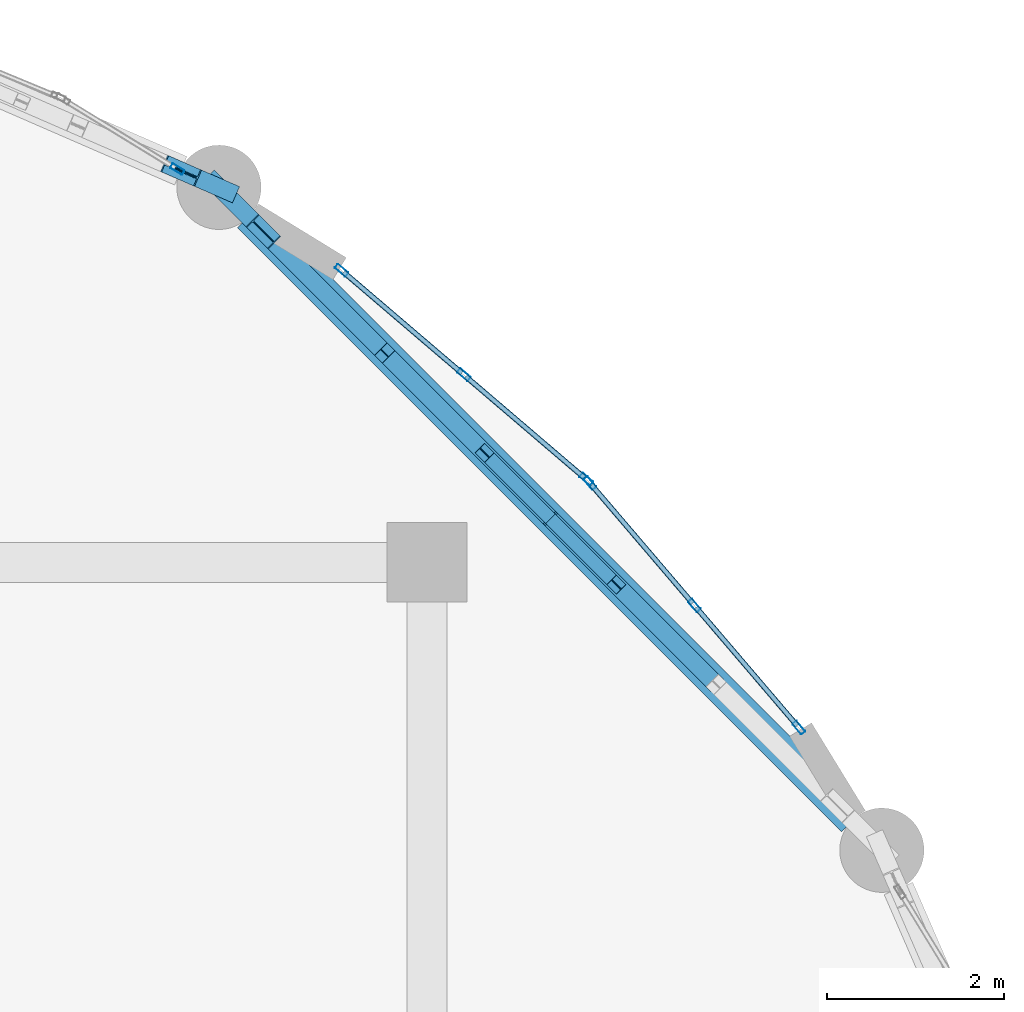
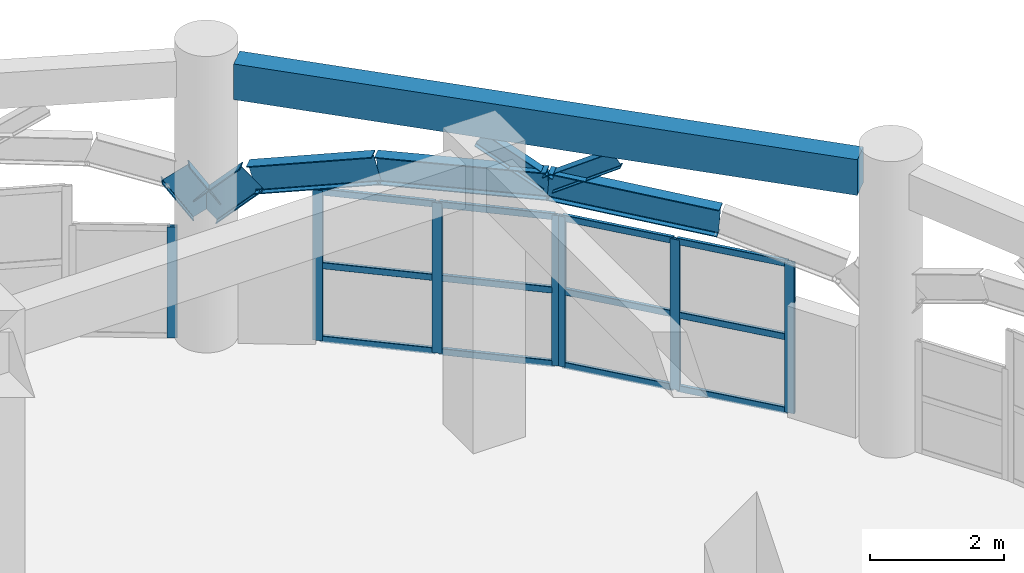
# One storey, part 76 of 114: 21 members, 6 beams, 3 elements without a shape of their own.
"""IFC4 building model written with IfcOpenShell, lengths in metres."""

from ifc_helpers import new_model, si_unit, derived_unit, direction, frame, origin, origin_2d, place, context, subcontext, project, spatial, rectangle, hollow_rectangle, i_section, extrude, material, layer, layer_set, material_profile, profile_set, type_object, element, aggregate, save


model = new_model("IFC4")

# Units and contexts
model_context = context("Model", 3, precision=1e-05, world=origin(), true_north=direction((0.0, 1.0)))
body_context = subcontext(model_context, "Body", "Model", "MODEL_VIEW")
ifc_project = project(units=[si_unit("LENGTHUNIT", "METRE"), si_unit("AREAUNIT", "SQUARE_METRE"), si_unit("VOLUMEUNIT", "CUBIC_METRE"), si_unit("PLANEANGLEUNIT", "RADIAN"), si_unit("MASSUNIT", "GRAM", prefix="KILO"), derived_unit("THERMALTRANSMITTANCEUNIT", [(si_unit("MASSUNIT", "GRAM", prefix="KILO"), 1), (si_unit("TIMEUNIT", "SECOND"), -3), (si_unit("THERMODYNAMICTEMPERATUREUNIT", "KELVIN"), -1)])], contexts=[model_context])

# Site, building, storey
site_placement = place(None, origin())
site = spatial("IfcSite", under=ifc_project, at=site_placement, CompositionType="ELEMENT")
building_placement = place(site_placement, origin())
building = spatial("IfcBuilding", under=site, at=building_placement, Name="Qinzheling Arcade Emporium", CompositionType="ELEMENT")
storey_placement = place(building_placement, frame((0.0, 0.0, 6.0)))
storey = spatial("IfcBuildingStorey", under=building, at=storey_placement, Name="L02", CompositionType="ELEMENT", Elevation=6.0)

# Beams
ifc_material_1 = material(Name="Weathering steel Q355NH", Category="steel")
ifc_material_profile_1 = material_profile(ifc_material_1, i_section(OverallWidth=0.199951171875, OverallDepth=0.5, WebThickness=0.010009765625, FlangeThickness=0.01611328125, FilletRadius=0.01806640625, at=origin_2d()), Name="HN 500x200x10x16", Category="steel")
ifc_profile_set_1 = profile_set([ifc_material_profile_1], Name="Weathering steel Q355NH")
beam_type_1 = type_object("IfcBeamType", Name="Arcade End Arch Rib HN500 Q355NH", PredefinedType="BEAM", material=ifc_profile_set_1)
beam_1_placement = place(storey_placement, frame((142.4599609375, 105.422119140625, 3.52392578125), z_axis=(-0.705264489897, 0.705264489897, 0.072138745342), x_axis=(-0.707106781187, -0.707106781187, 0.0)))
element("IfcBeam", 1, at=beam_1_placement, inside=storey, type_object=beam_type_1, Name="Curved Arcade Entrance Arch ARC-L02-CV6-B03-C03", PredefinedType="BEAM", context=body_context, shape_type="SweptSolid", body=[
    extrude(i_section(OverallWidth=0.199951171875, OverallDepth=0.5, WebThickness=0.010009765625, FlangeThickness=0.01611328125, FilletRadius=0.01806640625, at=origin_2d()), origin(), (0.0, 0.0, 1.0), 2.64990234375),
])
beam_2_placement = place(storey_placement, frame((140.591064453125, 107.291015625, 3.715087890625), z_axis=(-0.70531079072, 0.705218665486, -0.072134058142), x_axis=(-0.707060596752, -0.707152962604, 0.0)))
element("IfcBeam", 2, at=beam_2_placement, inside=storey, type_object=beam_type_1, Name="Curved Arcade Entrance Arch ARC-L02-CV6-B03-C04", PredefinedType="BEAM", context=body_context, shape_type="SweptSolid", body=[
    extrude(i_section(OverallWidth=0.199951171875, OverallDepth=0.5, WebThickness=0.010009765625, FlangeThickness=0.01611328125, FilletRadius=0.01806640625, at=origin_2d()), origin(), (0.0, 0.0, 1.0), 2.650146484375),
])
beam_3_placement = place(storey_placement, frame((138.721923828125, 109.159912109375, 3.52392578125), z_axis=(-0.682635799585, 0.682757633567, -0.26048105292), x_axis=(-0.707169873471, -0.707043683272, 0.0)))
element("IfcBeam", 3, at=beam_3_placement, inside=storey, type_object=beam_type_1, Name="Curved Arcade Entrance Arch ARC-L02-CV6-B03-C05", PredefinedType="BEAM", context=body_context, shape_type="SweptSolid", body=[
    extrude(i_section(OverallWidth=0.199951171875, OverallDepth=0.5, WebThickness=0.010009765625, FlangeThickness=0.01611328125, FilletRadius=0.01806640625, at=origin_2d()), origin(), (0.0, 0.0, 1.0), 2.00390625),
])
beam_4_placement = place(storey_placement, frame((137.35400390625, 110.528076171875, 3.001953125), z_axis=(-0.498792477106, 0.498792477106, -0.708810362203), x_axis=(-0.707106781187, -0.707106781187, 0.0)))
element("IfcBeam", 4, at=beam_4_placement, inside=storey, type_object=beam_type_1, Name="Curved Arcade Entrance Arch ARC-L02-CV6-B03-C06", PredefinedType="BEAM", context=body_context, shape_type="SweptSolid", body=[
    extrude(i_section(OverallWidth=0.199951171875, OverallDepth=0.5, WebThickness=0.010009765625, FlangeThickness=0.01611328125, FilletRadius=0.01806640625, at=origin_2d()), origin(), (0.0, 0.0, 1.0), 1.00439453125),
])
beam_5_placement = place(storey_placement, frame((136.85302734375, 111.029052734375, 2.2900390625), z_axis=(-0.501917292807, 0.218674086403, 0.836815795212), x_axis=(-0.399416000282, -0.916769795924, 0.0)))
element("IfcBeam", 5, at=beam_5_placement, inside=storey, type_object=beam_type_1, Name="Curved Arcade Entrance Arch ARC-L02-CV6-B04-C01", PredefinedType="BEAM", context=body_context, shape_type="SweptSolid", body=[
    extrude(i_section(OverallWidth=0.199951171875, OverallDepth=0.5, WebThickness=0.010009765625, FlangeThickness=0.01611328125, FilletRadius=0.01806640625, at=origin_2d()), origin(), (0.0, 0.0, 1.0), 0.850830078125),
])

# Members
ifc_material_profile_2 = material_profile(ifc_material_1, i_section(OverallWidth=0.14990234375, OverallDepth=0.300048828125, WebThickness=0.006591796875, FlangeThickness=0.009033203125, FilletRadius=0.012939453125, at=origin_2d()), Name="HN 300x150x6.5x9", Category="steel")
ifc_profile_set_2 = profile_set([ifc_material_profile_2], Name="Weathering steel Q355NH")
member_type_1 = type_object("IfcMemberType", Name="Arcade Spandrel Web Chord HN300 Q355NH", PredefinedType="CHORD", material=ifc_profile_set_2)
for number, where, z_axis, x_axis, name in (
    (6, (140.591064453125, 107.291015625, 3.72509765625), (0.603700509, -0.603700509, 0.520664374494), (0.707106781187, 0.707106781187, 0.0), "Arcade Spandrel Web Chord ASW-L02-CV6-B03-W1"),
    (7, (140.591064453125, 107.291015625, 3.72509765625), (-0.603700509, 0.603700509, 0.520664374494), (-0.707106781187, -0.707106781187, 0.0), "Arcade Spandrel Web Chord ASW-L02-CV6-B03-W2"),
):
    element("IfcMember", number, at=place(storey_placement, frame(where, z_axis=z_axis, x_axis=x_axis)), inside=storey, type_object=member_type_1, Name=name, PredefinedType="CHORD", context=body_context, shape_type="SweptSolid", body=[
        extrude(i_section(OverallWidth=0.14990234375, OverallDepth=0.300048828125, WebThickness=0.006591796875, FlangeThickness=0.009033203125, FilletRadius=0.012939453125, at=origin_2d()), origin(), (0.0, 0.0, 1.0), 1.22900390625),
    ])

# Curtain wall, member
ifc_material_2 = material(Name="Anodised aluminium and solar-control double glazing", Category="aluminium")
ifc_layer = layer(ifc_material_2, 0.159912109375, Name="Anodised aluminium and solar-control double glazing", Category="aluminium")
ifc_layer_set = layer_set([ifc_layer], Name="Anodised aluminium and solar-control double glazing")
curtain_wall_type = type_object("IfcCurtainWallType", Name="Curved Ribbon Sales Curtain Wall", PredefinedType="NOTDEFINED", material=ifc_layer_set)
curtain_wall_1_placement = place(storey_placement, origin())
curtain_wall_1 = element("IfcCurtainWall", 8, at=curtain_wall_1_placement, inside=storey, type_object=curtain_wall_type, Name="Curtain Wall CW-L02-106", PredefinedType="NOTDEFINED")
ifc_material_3 = material(Name="Anodised aluminium 6063-T6", Category="aluminium")
ifc_material_profile_3 = material_profile(ifc_material_3, hollow_rectangle(XDim=0.06005859375, YDim=0.159912109375, WallThickness=0.00390625, InnerFilletRadius=0.00390625, OuterFilletRadius=0.008056640625, at=origin_2d()), Name="RHS 160x60x4", Category="aluminium")
ifc_profile_set_3 = profile_set([ifc_material_profile_3], Name="Anodised aluminium 6063-T6")
member_type_2 = type_object("IfcMemberType", Name="Curtain Wall Mullion RHS160x60", PredefinedType="MULLION", material=ifc_profile_set_3)
member_1_placement = place(storey_placement, frame((136.38330078125, 111.233642578125, 0.0), z_axis=(0.0, 0.0, 1.0), x_axis=(0.522427757689, 0.852683550912, 0.0)))
member_1 = element("IfcMember", 9, at=member_1_placement, type_object=member_type_2, Name="CW02 mullion 2", PredefinedType="MULLION", context=body_context, shape_type="SweptSolid", body=[
    extrude(hollow_rectangle(XDim=0.06005859375, YDim=0.159912109375, WallThickness=0.00390625, InnerFilletRadius=0.00390625, OuterFilletRadius=0.008056640625, at=origin_2d()), origin(), (0.0, 0.0, 1.0), 2.02490234375),
])
aggregate(curtain_wall_1, [member_1])

# Curtain wall, members
curtain_wall_2_placement = place(storey_placement, origin())
curtain_wall_2 = element("IfcCurtainWall", 10, at=curtain_wall_2_placement, inside=storey, type_object=curtain_wall_type, Name="Curtain Wall CW-L02-107", PredefinedType="NOTDEFINED")
member_2_placement = place(storey_placement, frame((138.23583984375, 110.092529296875, 0.0), z_axis=(0.0, 0.0, 1.0), x_axis=(0.649472784461, 0.760384838253, 0.0)))
member_2 = element("IfcMember", 11, at=member_2_placement, type_object=member_type_2, Name="CW02 mullion 1", PredefinedType="MULLION", context=body_context, shape_type="SweptSolid", body=[
    extrude(hollow_rectangle(XDim=0.06005859375, YDim=0.159912109375, WallThickness=0.00390625, InnerFilletRadius=0.00390625, OuterFilletRadius=0.008056640625, at=origin_2d()), origin(), (0.0, 0.0, 1.0), 2.737060546875),
])
member_3_placement = place(storey_placement, frame((139.614990234375, 108.91455078125, 0.0), z_axis=(0.0, 0.0, 1.0), x_axis=(0.649472784461, 0.760384838253, 0.0)))
member_3 = element("IfcMember", 12, at=member_3_placement, type_object=member_type_2, Name="CW02 mullion 2", PredefinedType="MULLION", context=body_context, shape_type="SweptSolid", body=[
    extrude(hollow_rectangle(XDim=0.06005859375, YDim=0.159912109375, WallThickness=0.00390625, InnerFilletRadius=0.00390625, OuterFilletRadius=0.008056640625, at=origin_2d()), origin(), (0.0, 0.0, 1.0), 2.737060546875),
])
member_4_placement = place(storey_placement, frame((140.994140625, 107.736572265625, 0.0), z_axis=(0.0, 0.0, 1.0), x_axis=(0.649472784461, 0.760384838253, 0.0)))
member_4 = element("IfcMember", 13, at=member_4_placement, type_object=member_type_2, Name="CW02 mullion 3", PredefinedType="MULLION", context=body_context, shape_type="SweptSolid", body=[
    extrude(hollow_rectangle(XDim=0.06005859375, YDim=0.159912109375, WallThickness=0.00390625, InnerFilletRadius=0.00390625, OuterFilletRadius=0.008056640625, at=origin_2d()), origin(), (0.0, 0.0, 1.0), 2.737060546875),
])

curtain_wall_3_placement = place(storey_placement, origin())
curtain_wall_3 = element("IfcCurtainWall", 14, at=curtain_wall_3_placement, inside=storey, type_object=curtain_wall_type, Name="Curtain Wall CW-L02-108", PredefinedType="NOTDEFINED")
member_5_placement = place(storey_placement, frame((141.036376953125, 107.694091796875, 0.0), z_axis=(0.0, 0.0, 1.0), x_axis=(0.760384838253, 0.649472784461, 0.0)))
member_5 = element("IfcMember", 15, at=member_5_placement, type_object=member_type_2, Name="CW02 mullion 1", PredefinedType="MULLION", context=body_context, shape_type="SweptSolid", body=[
    extrude(hollow_rectangle(XDim=0.06005859375, YDim=0.159912109375, WallThickness=0.00390625, InnerFilletRadius=0.00390625, OuterFilletRadius=0.008056640625, at=origin_2d()), origin(), (0.0, 0.0, 1.0), 2.737060546875),
])
member_6_placement = place(storey_placement, frame((142.214599609375, 106.31494140625, 0.0), z_axis=(0.0, 0.0, 1.0), x_axis=(0.760384838253, 0.649472784461, 0.0)))
member_6 = element("IfcMember", 16, at=member_6_placement, type_object=member_type_2, Name="CW02 mullion 2", PredefinedType="MULLION", context=body_context, shape_type="SweptSolid", body=[
    extrude(hollow_rectangle(XDim=0.06005859375, YDim=0.159912109375, WallThickness=0.00390625, InnerFilletRadius=0.00390625, OuterFilletRadius=0.008056640625, at=origin_2d()), origin(), (0.0, 0.0, 1.0), 2.737060546875),
])
member_7_placement = place(storey_placement, frame((143.392578125, 104.935791015625, 0.0), z_axis=(0.0, 0.0, 1.0), x_axis=(0.760384838253, 0.649472784461, 0.0)))
member_7 = element("IfcMember", 17, at=member_7_placement, type_object=member_type_2, Name="CW02 mullion 3", PredefinedType="MULLION", context=body_context, shape_type="SweptSolid", body=[
    extrude(hollow_rectangle(XDim=0.06005859375, YDim=0.159912109375, WallThickness=0.00390625, InnerFilletRadius=0.00390625, OuterFilletRadius=0.008056640625, at=origin_2d()), origin(), (0.0, 0.0, 1.0), 2.737060546875),
])

# Member
ifc_material_profile_4 = material_profile(ifc_material_3, hollow_rectangle(XDim=0.06005859375, YDim=0.1201171875, WallThickness=0.00390625, InnerFilletRadius=0.00390625, OuterFilletRadius=0.008056640625, at=origin_2d()), Name="RHS 120x60x4", Category="aluminium")
ifc_profile_set_4 = profile_set([ifc_material_profile_4], Name="Anodised aluminium 6063-T6")
member_type_3 = type_object("IfcMemberType", Name="Curtain Wall Transom RHS120x60", PredefinedType="USERDEFINED", material=ifc_profile_set_4)
member_8_placement = place(storey_placement, frame((138.258544921875, 110.072998046875, 0.030029296875), z_axis=(0.760463899303, -0.649380210552, 0.0), x_axis=(0.649380210552, 0.760463899303, 0.0)))
member_8 = element("IfcMember", 18, at=member_8_placement, type_object=member_type_3, Name="CW02 transom 1.1", ObjectType="TRANSOM", PredefinedType="USERDEFINED", context=body_context, shape_type="SweptSolid", body=[
    extrude(hollow_rectangle(XDim=0.06005859375, YDim=0.1201171875, WallThickness=0.00390625, InnerFilletRadius=0.00390625, OuterFilletRadius=0.008056640625, at=origin_2d()), origin(), (0.0, 0.0, 1.0), 1.75390625),
])

member_9_placement = place(storey_placement, frame((138.258544921875, 110.072998046875, 1.368896484375), z_axis=(0.760463899303, -0.649380210552, 0.0), x_axis=(0.649380210552, 0.760463899303, 0.0)))
member_9 = element("IfcMember", 19, at=member_9_placement, type_object=member_type_3, Name="CW02 transom 1.2", ObjectType="TRANSOM", PredefinedType="USERDEFINED", context=body_context, shape_type="SweptSolid", body=[
    extrude(hollow_rectangle(XDim=0.06005859375, YDim=0.1201171875, WallThickness=0.00390625, InnerFilletRadius=0.00390625, OuterFilletRadius=0.008056640625, at=origin_2d()), origin(), (0.0, 0.0, 1.0), 1.75390625),
])

member_10_placement = place(storey_placement, frame((138.258544921875, 110.072998046875, 2.70703125), z_axis=(0.760463899303, -0.649380210552, 0.0), x_axis=(0.649380210552, 0.760463899303, 0.0)))
member_10 = element("IfcMember", 20, at=member_10_placement, type_object=member_type_3, Name="CW02 transom 1.3", ObjectType="TRANSOM", PredefinedType="USERDEFINED", context=body_context, shape_type="SweptSolid", body=[
    extrude(hollow_rectangle(XDim=0.06005859375, YDim=0.1201171875, WallThickness=0.00390625, InnerFilletRadius=0.00390625, OuterFilletRadius=0.008056640625, at=origin_2d()), origin(), (0.0, 0.0, 1.0), 1.75390625),
])

member_11_placement = place(storey_placement, frame((139.6376953125, 108.89501953125, 0.030029296875), z_axis=(0.760395158799, -0.649460701255, 0.0), x_axis=(0.649460701255, 0.760395158799, 0.0)))
member_11 = element("IfcMember", 21, at=member_11_placement, type_object=member_type_3, Name="CW02 transom 2.1", ObjectType="TRANSOM", PredefinedType="USERDEFINED", context=body_context, shape_type="SweptSolid", body=[
    extrude(hollow_rectangle(XDim=0.06005859375, YDim=0.1201171875, WallThickness=0.00390625, InnerFilletRadius=0.00390625, OuterFilletRadius=0.008056640625, at=origin_2d()), origin(), (0.0, 0.0, 1.0), 1.75390625),
])

member_12_placement = place(storey_placement, frame((139.6376953125, 108.89501953125, 1.368896484375), z_axis=(0.760395158799, -0.649460701255, 0.0), x_axis=(0.649460701255, 0.760395158799, 0.0)))
member_12 = element("IfcMember", 22, at=member_12_placement, type_object=member_type_3, Name="CW02 transom 2.2", ObjectType="TRANSOM", PredefinedType="USERDEFINED", context=body_context, shape_type="SweptSolid", body=[
    extrude(hollow_rectangle(XDim=0.06005859375, YDim=0.1201171875, WallThickness=0.00390625, InnerFilletRadius=0.00390625, OuterFilletRadius=0.008056640625, at=origin_2d()), origin(), (0.0, 0.0, 1.0), 1.75390625),
])

member_13_placement = place(storey_placement, frame((139.6376953125, 108.89501953125, 2.70703125), z_axis=(0.760395158799, -0.649460701255, 0.0), x_axis=(0.649460701255, 0.760395158799, 0.0)))
member_13 = element("IfcMember", 23, at=member_13_placement, type_object=member_type_3, Name="CW02 transom 2.3", ObjectType="TRANSOM", PredefinedType="USERDEFINED", context=body_context, shape_type="SweptSolid", body=[
    extrude(hollow_rectangle(XDim=0.06005859375, YDim=0.1201171875, WallThickness=0.00390625, InnerFilletRadius=0.00390625, OuterFilletRadius=0.008056640625, at=origin_2d()), origin(), (0.0, 0.0, 1.0), 1.75390625),
])

aggregate(curtain_wall_2, [member_2, member_3, member_4, member_8, member_9, member_10, member_11, member_12, member_13])

member_14_placement = place(storey_placement, frame((141.055908203125, 107.67138671875, 0.030029296875), z_axis=(0.649529444426, -0.760336439232, 0.0), x_axis=(0.760336439232, 0.649529444426, 0.0)))
member_14 = element("IfcMember", 24, at=member_14_placement, type_object=member_type_3, Name="CW02 transom 1.1", ObjectType="TRANSOM", PredefinedType="USERDEFINED", context=body_context, shape_type="SweptSolid", body=[
    extrude(hollow_rectangle(XDim=0.06005859375, YDim=0.1201171875, WallThickness=0.00390625, InnerFilletRadius=0.00390625, OuterFilletRadius=0.008056640625, at=origin_2d()), origin(), (0.0, 0.0, 1.0), 1.75390625),
])

member_15_placement = place(storey_placement, frame((141.055908203125, 107.67138671875, 1.368896484375), z_axis=(0.649529444426, -0.760336439232, 0.0), x_axis=(0.760336439232, 0.649529444426, 0.0)))
member_15 = element("IfcMember", 25, at=member_15_placement, type_object=member_type_3, Name="CW02 transom 1.2", ObjectType="TRANSOM", PredefinedType="USERDEFINED", context=body_context, shape_type="SweptSolid", body=[
    extrude(hollow_rectangle(XDim=0.06005859375, YDim=0.1201171875, WallThickness=0.00390625, InnerFilletRadius=0.00390625, OuterFilletRadius=0.008056640625, at=origin_2d()), origin(), (0.0, 0.0, 1.0), 1.75390625),
])

member_16_placement = place(storey_placement, frame((141.055908203125, 107.67138671875, 2.70703125), z_axis=(0.649529444426, -0.760336439232, 0.0), x_axis=(0.760336439232, 0.649529444426, 0.0)))
member_16 = element("IfcMember", 26, at=member_16_placement, type_object=member_type_3, Name="CW02 transom 1.3", ObjectType="TRANSOM", PredefinedType="USERDEFINED", context=body_context, shape_type="SweptSolid", body=[
    extrude(hollow_rectangle(XDim=0.06005859375, YDim=0.1201171875, WallThickness=0.00390625, InnerFilletRadius=0.00390625, OuterFilletRadius=0.008056640625, at=origin_2d()), origin(), (0.0, 0.0, 1.0), 1.75390625),
])

member_17_placement = place(storey_placement, frame((142.23388671875, 106.292236328125, 0.030029296875), z_axis=(0.649529444426, -0.760336439232, 0.0), x_axis=(0.760336439232, 0.649529444426, 0.0)))
member_17 = element("IfcMember", 27, at=member_17_placement, type_object=member_type_3, Name="CW02 transom 2.1", ObjectType="TRANSOM", PredefinedType="USERDEFINED", context=body_context, shape_type="SweptSolid", body=[
    extrude(hollow_rectangle(XDim=0.06005859375, YDim=0.1201171875, WallThickness=0.00390625, InnerFilletRadius=0.00390625, OuterFilletRadius=0.008056640625, at=origin_2d()), origin(), (0.0, 0.0, 1.0), 1.75390625),
])

member_18_placement = place(storey_placement, frame((142.23388671875, 106.292236328125, 1.368896484375), z_axis=(0.649529444426, -0.760336439232, 0.0), x_axis=(0.760336439232, 0.649529444426, 0.0)))
member_18 = element("IfcMember", 28, at=member_18_placement, type_object=member_type_3, Name="CW02 transom 2.2", ObjectType="TRANSOM", PredefinedType="USERDEFINED", context=body_context, shape_type="SweptSolid", body=[
    extrude(hollow_rectangle(XDim=0.06005859375, YDim=0.1201171875, WallThickness=0.00390625, InnerFilletRadius=0.00390625, OuterFilletRadius=0.008056640625, at=origin_2d()), origin(), (0.0, 0.0, 1.0), 1.75390625),
])

member_19_placement = place(storey_placement, frame((142.23388671875, 106.292236328125, 2.70703125), z_axis=(0.649529444426, -0.760336439232, 0.0), x_axis=(0.760336439232, 0.649529444426, 0.0)))
member_19 = element("IfcMember", 29, at=member_19_placement, type_object=member_type_3, Name="CW02 transom 2.3", ObjectType="TRANSOM", PredefinedType="USERDEFINED", context=body_context, shape_type="SweptSolid", body=[
    extrude(hollow_rectangle(XDim=0.06005859375, YDim=0.1201171875, WallThickness=0.00390625, InnerFilletRadius=0.00390625, OuterFilletRadius=0.008056640625, at=origin_2d()), origin(), (0.0, 0.0, 1.0), 1.75390625),
])

aggregate(curtain_wall_3, [member_5, member_6, member_7, member_14, member_15, member_16, member_17, member_18, member_19])

# Beam
ifc_material_4 = material(Name="Concrete C40", Category="concrete")
ifc_material_profile_5 = material_profile(ifc_material_4, rectangle(XDim=0.35009765625, YDim=0.64990234375, at=origin_2d()), Name="RC 350x650", Category="concrete")
ifc_profile_set_5 = profile_set([ifc_material_profile_5], Name="Concrete C40")
beam_type_2 = type_object("IfcBeamType", Name="RC Spandrel Edge Beam 350x650 C40", PredefinedType="SPANDREL", material=ifc_profile_set_5)
beam_6_placement = place(storey_placement, frame((143.9970703125, 103.885009765625, 4.81005859375), z_axis=(-0.707106781187, 0.707106781187, 0.0), x_axis=(-0.707106781187, -0.707106781187, 0.0)))
element("IfcBeam", 30, at=beam_6_placement, inside=storey, type_object=beam_type_2, Name="Curved Arcade Spandrel BM-L02-CV6-B03", PredefinedType="SPANDREL", context=body_context, shape_type="SweptSolid", body=[
    extrude(rectangle(XDim=0.35009765625, YDim=0.64990234375, at=origin_2d()), origin(), (0.0, 0.0, 1.0), 9.633544921875),
])

save(model, "model.ifc")
